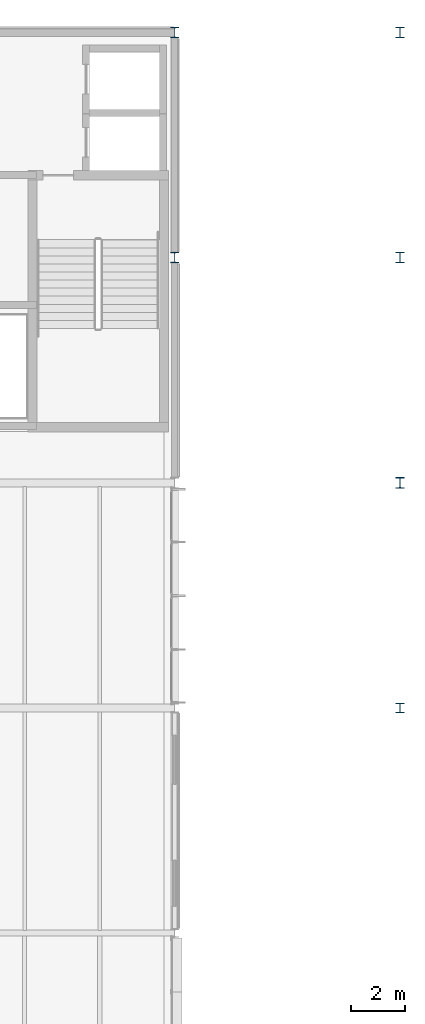
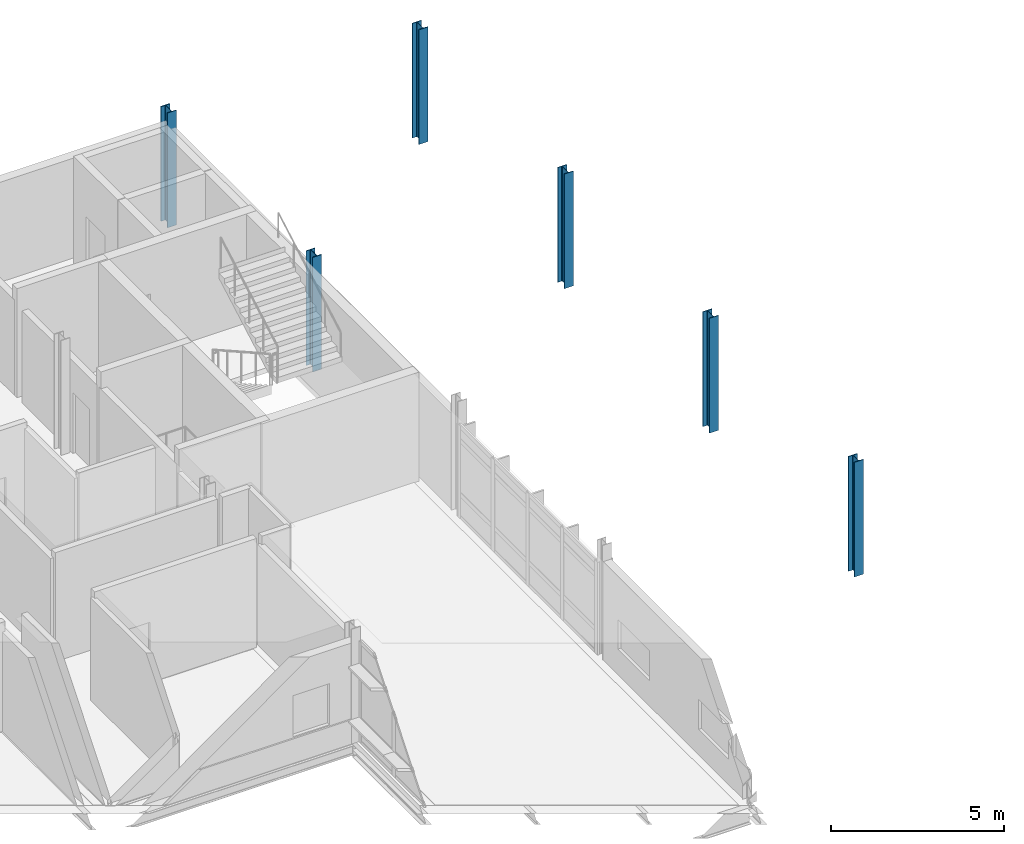
# One storey, part 6 of 66: 6 columns.
"""IFC4 building model written with IfcOpenShell, lengths in metres."""

from ifc_helpers import new_model, si_unit, direction, frame, origin, origin_2d, place, context, subcontext, project, spatial, i_section, extrude, material, material_profile, profile_set, type_object, element, save


model = new_model("IFC4")

# Units and contexts
model_context = context("Model", 3, precision=1e-05, world=origin(), true_north=direction((0.0, 1.0)))
body_context = subcontext(model_context, "Body", "Model", "MODEL_VIEW")
ifc_project = project(units=[si_unit("LENGTHUNIT", "METRE"), si_unit("AREAUNIT", "SQUARE_METRE"), si_unit("VOLUMEUNIT", "CUBIC_METRE"), si_unit("PLANEANGLEUNIT", "RADIAN"), si_unit("MASSUNIT", "GRAM", prefix="KILO")], contexts=[model_context])

# Site, building, storey
site_placement = place(None, origin())
site = spatial("IfcSite", under=ifc_project, at=site_placement, CompositionType="ELEMENT")
building_placement = place(site_placement, origin())
building = spatial("IfcBuilding", under=site, at=building_placement, Name="Mersafa Astral City Hall", CompositionType="ELEMENT")
storey_placement = place(building_placement, frame((0.0, 0.0, 22.050048828125)))
storey = spatial("IfcBuildingStorey", under=building, at=storey_placement, Name="L05", CompositionType="ELEMENT", Elevation=22.050048828125)

# Columns
ifc_material = material(Name="Steel S355", Category="steel")
ifc_material_profile_1 = material_profile(ifc_material, i_section(OverallWidth=0.300048828125, OverallDepth=0.360107421875, WebThickness=0.012451171875, FlangeThickness=0.0224609375, FilletRadius=0.027099609375, at=origin_2d()), Name="HEB 360")
ifc_profile_set_1 = profile_set([ifc_material_profile_1], Name="Steel S355")
column_type_1 = type_object("IfcColumnType", Name="STR-COL-HEB360", PredefinedType="COLUMN", material=ifc_profile_set_1)
column_placement = place(storey_placement, frame((184.800048828125, 100.800048828125, 0.0), z_axis=(0.0, 0.0, 1.0), x_axis=(1.0, 0.0, 0.0)))
element("IfcColumn", 1, at=column_placement, inside=storey, type_object=column_type_1, Name="L05 Structural column G-22-12", PredefinedType="COLUMN", context=body_context, shape_type="SweptSolid", body=[
    extrude(i_section(OverallWidth=0.300048828125, OverallDepth=0.360107421875, WebThickness=0.012451171875, FlangeThickness=0.0224609375, FilletRadius=0.027099609375, at=origin_2d()), origin(), (0.0, 0.0, 1.0), 4.050048828125),
])
ifc_material_profile_2 = material_profile(ifc_material, i_section(OverallWidth=0.300048828125, OverallDepth=0.39990234375, WebThickness=0.013427734375, FlangeThickness=0.02392578125, FilletRadius=0.027099609375, at=origin_2d()), Name="HEB 400")
ifc_profile_set_2 = profile_set([ifc_material_profile_2], Name="Steel S355")
column_type_2 = type_object("IfcColumnType", Name="STR-COL-HEB400", PredefinedType="COLUMN", material=ifc_profile_set_2)
for number, where, z_axis, x_axis, name in (
    (2, (176.39990234375, 117.60009765625, 0.0), (0.0, 0.0, 1.0), (1.0, 0.0, 0.0), "L05 Structural column G-21-14"),
    (3, (176.39990234375, 126.0, 0.0), (0.0, 0.0, 1.0), (1.0, 0.0, 0.0), "L05 Structural column G-21-15"),
    (4, (184.800048828125, 109.199951171875, 0.0), (0.0, 0.0, 1.0), (1.0, 0.0, 0.0), "L05 Structural column G-22-13"),
    (5, (184.800048828125, 117.60009765625, 0.0), (0.0, 0.0, 1.0), (1.0, 0.0, 0.0), "L05 Structural column G-22-14"),
    (6, (184.800048828125, 126.0, 0.0), (0.0, 0.0, 1.0), (1.0, 0.0, 0.0), "L05 Structural column G-22-15"),
):
    element("IfcColumn", number, at=place(storey_placement, frame(where, z_axis=z_axis, x_axis=x_axis)), inside=storey, type_object=column_type_2, Name=name, PredefinedType="COLUMN", context=body_context, shape_type="SweptSolid", body=[
        extrude(i_section(OverallWidth=0.300048828125, OverallDepth=0.39990234375, WebThickness=0.013427734375, FlangeThickness=0.02392578125, FilletRadius=0.027099609375, at=origin_2d()), origin(), (0.0, 0.0, 1.0), 4.050048828125),
    ])

save(model, "model.ifc")
